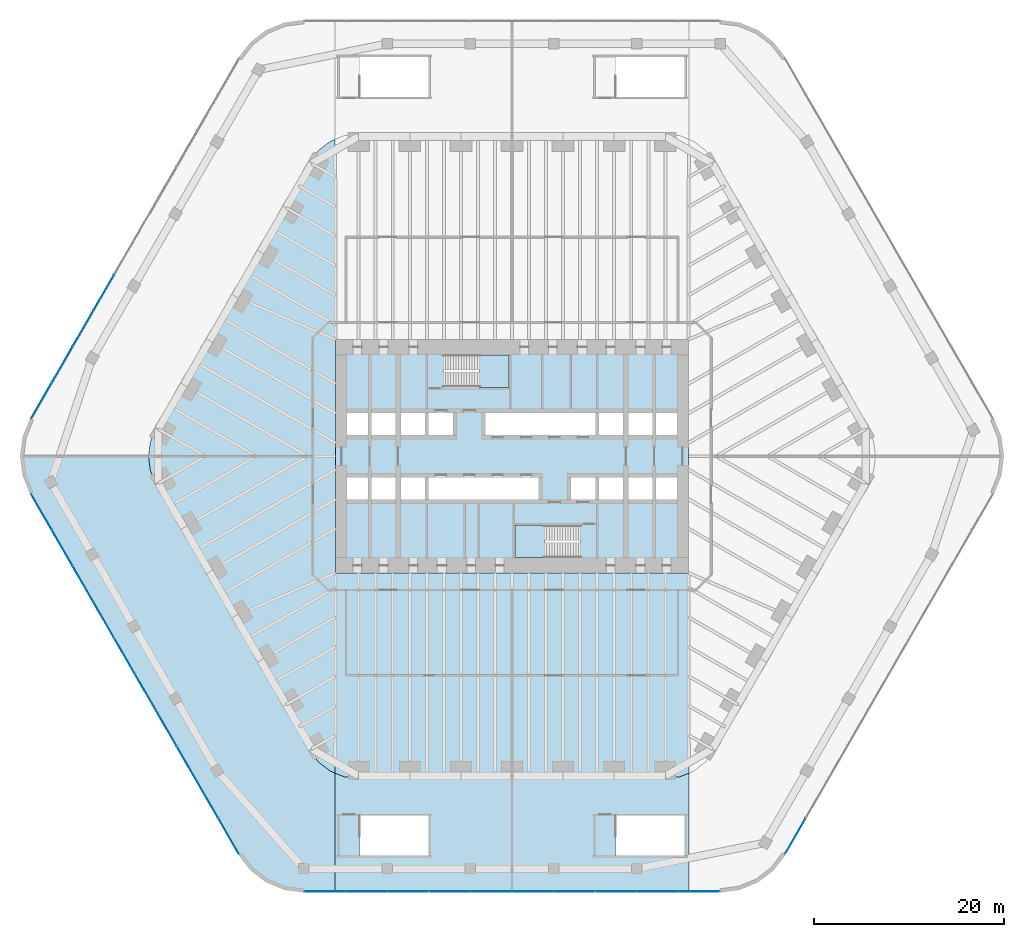
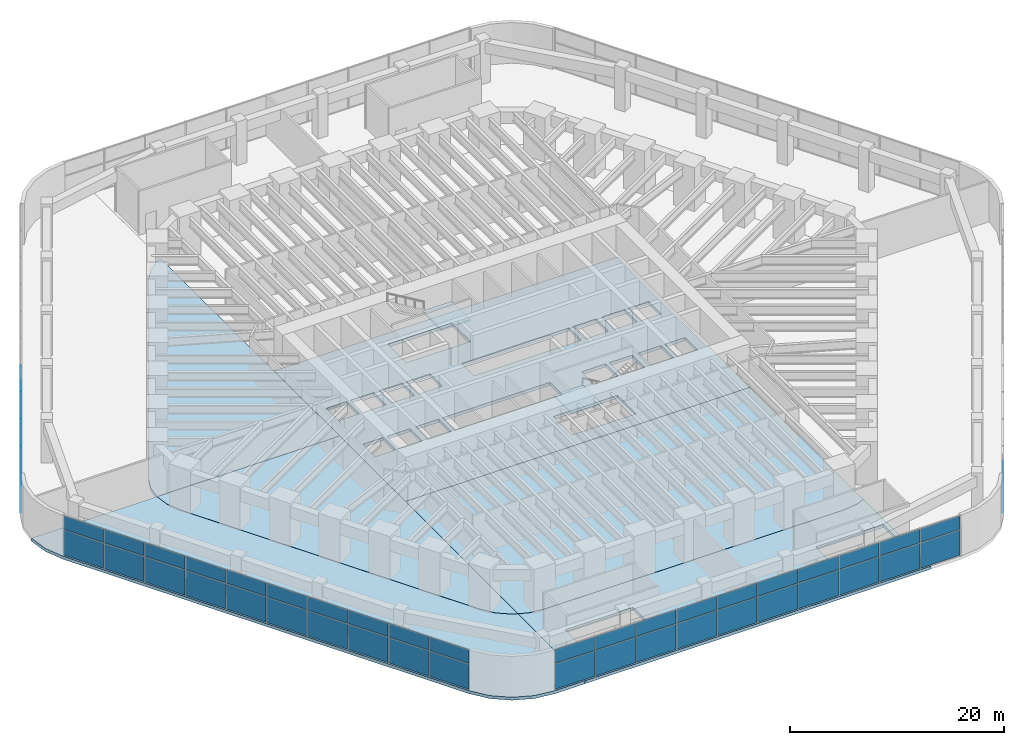
# One storey, part 23 of 31: 49 plates, 8 slabs, 6 elements without a shape of their own.
"""IFC4 building model written with IfcOpenShell, lengths in metres."""

from ifc_helpers import new_model, si_unit, direction, frame, origin, origin_2d, place, context, subcontext, project, spatial, polyline, rectangle, outline, extrude, material, layer, layer_set, type_object, element, aggregate, save


model = new_model("IFC4")

# Units and contexts
model_context = context("Model", 3, precision=1e-05, world=origin(), true_north=direction((0.0, 1.0)))
body_context = subcontext(model_context, "Body", "Model", "MODEL_VIEW")
ifc_project = project(units=[si_unit("LENGTHUNIT", "METRE"), si_unit("AREAUNIT", "SQUARE_METRE"), si_unit("VOLUMEUNIT", "CUBIC_METRE"), si_unit("PLANEANGLEUNIT", "RADIAN"), si_unit("MASSUNIT", "GRAM", prefix="KILO")], contexts=[model_context])

# Site, building, storey
site_placement = place(None, origin())
site = spatial("IfcSite", under=ifc_project, at=site_placement, CompositionType="ELEMENT")
building_placement = place(site_placement, origin())
building = spatial("IfcBuilding", under=site, at=building_placement, Name="Tarfa Lantern Tower", CompositionType="ELEMENT")
storey_placement = place(building_placement, frame((0.0, 0.0, 18.5)))
storey = spatial("IfcBuildingStorey", under=building, at=storey_placement, Name="L03", CompositionType="ELEMENT", Elevation=18.5)

# Curtain wall, plates
ifc_material_1 = material(Name="Aluminium framed curtain wall", Category="aluminium")
curtain_wall_type = type_object("IfcCurtainWallType", Name="CW7 PODIUM GLAZING 4650", PredefinedType="USERDEFINED", material=ifc_material_1)
curtain_wall_1_placement = place(storey_placement, origin())
curtain_wall_1 = element("IfcCurtainWall", 1, at=curtain_wall_1_placement, inside=storey, type_object=curtain_wall_type, Name="CW7 NW L03", ObjectType="CURTAIN WALL", PredefinedType="USERDEFINED")
ifc_material_2 = material(Name="Laminated double glazing", Category="glass")
ifc_layer_1 = layer(ifc_material_2, 0.028076171875)
ifc_layer_set_1 = layer_set([ifc_layer_1], Name="CWP1 DOUBLE GLAZED PANEL")
plate_type = type_object("IfcPlateType", Name="CWP1 DOUBLE GLAZED PANEL", PredefinedType="CURTAIN_PANEL", material=ifc_layer_set_1)
plate_1_placement = place(storey_placement, frame((-43.04150390625, 17.25, 0.06494140625), z_axis=(0.0, 0.0, 1.0), x_axis=(-0.5, -0.866025403784, 0.0)))
plate_1 = element("IfcPlate", 2, at=plate_1_placement, type_object=plate_type, Name="CW7 panel 7.1", PredefinedType="CURTAIN_PANEL", context=body_context, shape_type="SweptSolid", body=[
    extrude(rectangle(XDim=4.32275390625, YDim=0.028076171875, at=origin_2d()), origin(), (0.0, 0.0, 1.0), 2.902587890625),
])
plate_2_placement = place(storey_placement, frame((-43.04150390625, 17.25, 3.03271484375), z_axis=(0.0, 0.0, 1.0), x_axis=(-0.5, -0.866025403784, 0.0)))
plate_2 = element("IfcPlate", 3, at=plate_2_placement, type_object=plate_type, Name="CW7 panel 7.2", PredefinedType="CURTAIN_PANEL", context=body_context, shape_type="SweptSolid", body=[
    extrude(rectangle(XDim=4.32275390625, YDim=0.028076171875, at=origin_2d()), origin(), (0.0, 0.0, 1.0), 1.552490234375),
])
plate_3_placement = place(storey_placement, frame((-45.2353515625, 13.449951171875, 0.06494140625), z_axis=(0.0, 0.0, 1.0), x_axis=(-0.5, -0.866025403784, 0.0)))
plate_3 = element("IfcPlate", 4, at=plate_3_placement, type_object=plate_type, Name="CW7 panel 8.1", PredefinedType="CURTAIN_PANEL", context=body_context, shape_type="SweptSolid", body=[
    extrude(rectangle(XDim=4.32275390625, YDim=0.028076171875, at=origin_2d()), origin(), (0.0, 0.0, 1.0), 2.902587890625),
])
plate_4_placement = place(storey_placement, frame((-45.2353515625, 13.449951171875, 3.03271484375), z_axis=(0.0, 0.0, 1.0), x_axis=(-0.5, -0.866025403784, 0.0)))
plate_4 = element("IfcPlate", 5, at=plate_4_placement, type_object=plate_type, Name="CW7 panel 8.2", PredefinedType="CURTAIN_PANEL", context=body_context, shape_type="SweptSolid", body=[
    extrude(rectangle(XDim=4.32275390625, YDim=0.028076171875, at=origin_2d()), origin(), (0.0, 0.0, 1.0), 1.552490234375),
])
plate_5_placement = place(storey_placement, frame((-47.429443359375, 9.64990234375, 0.06494140625), z_axis=(0.0, 0.0, 1.0), x_axis=(-0.5, -0.866025403784, 0.0)))
plate_5 = element("IfcPlate", 6, at=plate_5_placement, type_object=plate_type, Name="CW7 panel 9.1", PredefinedType="CURTAIN_PANEL", context=body_context, shape_type="SweptSolid", body=[
    extrude(rectangle(XDim=4.32275390625, YDim=0.028076171875, at=origin_2d()), origin(), (0.0, 0.0, 1.0), 2.902587890625),
])
plate_6_placement = place(storey_placement, frame((-47.429443359375, 9.64990234375, 3.03271484375), z_axis=(0.0, 0.0, 1.0), x_axis=(-0.5, -0.866025403784, 0.0)))
plate_6 = element("IfcPlate", 7, at=plate_6_placement, type_object=plate_type, Name="CW7 panel 9.2", PredefinedType="CURTAIN_PANEL", context=body_context, shape_type="SweptSolid", body=[
    extrude(rectangle(XDim=4.32275390625, YDim=0.028076171875, at=origin_2d()), origin(), (0.0, 0.0, 1.0), 1.552490234375),
])
plate_7_placement = place(storey_placement, frame((-49.615234375, 5.864013671875, 0.06494140625), z_axis=(0.0, 0.0, 1.0), x_axis=(-0.5, -0.866025403784, 0.0)))
plate_7 = element("IfcPlate", 8, at=plate_7_placement, type_object=plate_type, Name="CW7 panel 10.1", PredefinedType="CURTAIN_PANEL", context=body_context, shape_type="SweptSolid", body=[
    extrude(rectangle(XDim=4.290283203125, YDim=0.028076171875, at=origin_2d()), origin(), (0.0, 0.0, 1.0), 2.902587890625),
])
plate_8_placement = place(storey_placement, frame((-49.615234375, 5.864013671875, 3.03271484375), z_axis=(0.0, 0.0, 1.0), x_axis=(-0.5, -0.866025403784, 0.0)))
plate_8 = element("IfcPlate", 9, at=plate_8_placement, type_object=plate_type, Name="CW7 panel 10.2", PredefinedType="CURTAIN_PANEL", context=body_context, shape_type="SweptSolid", body=[
    extrude(rectangle(XDim=4.290283203125, YDim=0.028076171875, at=origin_2d()), origin(), (0.0, 0.0, 1.0), 1.552490234375),
])
aggregate(curtain_wall_1, [plate_1, plate_2, plate_3, plate_4, plate_5, plate_6, plate_7, plate_8])

curtain_wall_2_placement = place(storey_placement, origin())
curtain_wall_2 = element("IfcCurtainWall", 10, at=curtain_wall_2_placement, inside=storey, type_object=curtain_wall_type, Name="CW7 SW L03", ObjectType="CURTAIN WALL", PredefinedType="USERDEFINED")
plate_9_placement = place(storey_placement, frame((-49.615234375, -5.864013671875, 0.06494140625), z_axis=(0.0, 0.0, 1.0), x_axis=(0.5, -0.866025403784, 0.0)))
plate_9 = element("IfcPlate", 11, at=plate_9_placement, type_object=plate_type, Name="CW7 panel 1.1", PredefinedType="CURTAIN_PANEL", context=body_context, shape_type="SweptSolid", body=[
    extrude(rectangle(XDim=4.290283203125, YDim=0.028076171875, at=origin_2d()), origin(), (0.0, 0.0, 1.0), 2.902587890625),
])
plate_10_placement = place(storey_placement, frame((-49.615234375, -5.864013671875, 3.03271484375), z_axis=(0.0, 0.0, 1.0), x_axis=(0.5, -0.866025403784, 0.0)))
plate_10 = element("IfcPlate", 12, at=plate_10_placement, type_object=plate_type, Name="CW7 panel 1.2", PredefinedType="CURTAIN_PANEL", context=body_context, shape_type="SweptSolid", body=[
    extrude(rectangle(XDim=4.290283203125, YDim=0.028076171875, at=origin_2d()), origin(), (0.0, 0.0, 1.0), 1.552490234375),
])
plate_11_placement = place(storey_placement, frame((-47.429443359375, -9.64990234375, 0.06494140625), z_axis=(0.0, 0.0, 1.0), x_axis=(0.5, -0.866025403784, 0.0)))
plate_11 = element("IfcPlate", 13, at=plate_11_placement, type_object=plate_type, Name="CW7 panel 2.1", PredefinedType="CURTAIN_PANEL", context=body_context, shape_type="SweptSolid", body=[
    extrude(rectangle(XDim=4.32275390625, YDim=0.028076171875, at=origin_2d()), origin(), (0.0, 0.0, 1.0), 2.902587890625),
])
plate_12_placement = place(storey_placement, frame((-47.429443359375, -9.64990234375, 3.03271484375), z_axis=(0.0, 0.0, 1.0), x_axis=(0.5, -0.866025403784, 0.0)))
plate_12 = element("IfcPlate", 14, at=plate_12_placement, type_object=plate_type, Name="CW7 panel 2.2", PredefinedType="CURTAIN_PANEL", context=body_context, shape_type="SweptSolid", body=[
    extrude(rectangle(XDim=4.32275390625, YDim=0.028076171875, at=origin_2d()), origin(), (0.0, 0.0, 1.0), 1.552490234375),
])
plate_13_placement = place(storey_placement, frame((-45.2353515625, -13.449951171875, 0.06494140625), z_axis=(0.0, 0.0, 1.0), x_axis=(0.5, -0.866025403784, 0.0)))
plate_13 = element("IfcPlate", 15, at=plate_13_placement, type_object=plate_type, Name="CW7 panel 3.1", PredefinedType="CURTAIN_PANEL", context=body_context, shape_type="SweptSolid", body=[
    extrude(rectangle(XDim=4.32275390625, YDim=0.028076171875, at=origin_2d()), origin(), (0.0, 0.0, 1.0), 2.902587890625),
])
plate_14_placement = place(storey_placement, frame((-45.2353515625, -13.449951171875, 3.03271484375), z_axis=(0.0, 0.0, 1.0), x_axis=(0.5, -0.866025403784, 0.0)))
plate_14 = element("IfcPlate", 16, at=plate_14_placement, type_object=plate_type, Name="CW7 panel 3.2", PredefinedType="CURTAIN_PANEL", context=body_context, shape_type="SweptSolid", body=[
    extrude(rectangle(XDim=4.32275390625, YDim=0.028076171875, at=origin_2d()), origin(), (0.0, 0.0, 1.0), 1.552490234375),
])
plate_15_placement = place(storey_placement, frame((-43.04150390625, -17.25, 0.06494140625), z_axis=(0.0, 0.0, 1.0), x_axis=(0.5, -0.866025403784, 0.0)))
plate_15 = element("IfcPlate", 17, at=plate_15_placement, type_object=plate_type, Name="CW7 panel 4.1", PredefinedType="CURTAIN_PANEL", context=body_context, shape_type="SweptSolid", body=[
    extrude(rectangle(XDim=4.32275390625, YDim=0.028076171875, at=origin_2d()), origin(), (0.0, 0.0, 1.0), 2.902587890625),
])
plate_16_placement = place(storey_placement, frame((-43.04150390625, -17.25, 3.03271484375), z_axis=(0.0, 0.0, 1.0), x_axis=(0.5, -0.866025403784, 0.0)))
plate_16 = element("IfcPlate", 18, at=plate_16_placement, type_object=plate_type, Name="CW7 panel 4.2", PredefinedType="CURTAIN_PANEL", context=body_context, shape_type="SweptSolid", body=[
    extrude(rectangle(XDim=4.32275390625, YDim=0.028076171875, at=origin_2d()), origin(), (0.0, 0.0, 1.0), 1.552490234375),
])
plate_17_placement = place(storey_placement, frame((-40.847412109375, -21.050048828125, 0.06494140625), z_axis=(0.0, 0.0, 1.0), x_axis=(0.5, -0.866025403784, 0.0)))
plate_17 = element("IfcPlate", 19, at=plate_17_placement, type_object=plate_type, Name="CW7 panel 5.1", PredefinedType="CURTAIN_PANEL", context=body_context, shape_type="SweptSolid", body=[
    extrude(rectangle(XDim=4.32275390625, YDim=0.028076171875, at=origin_2d()), origin(), (0.0, 0.0, 1.0), 2.902587890625),
])
plate_18_placement = place(storey_placement, frame((-40.847412109375, -21.050048828125, 3.03271484375), z_axis=(0.0, 0.0, 1.0), x_axis=(0.5, -0.866025403784, 0.0)))
plate_18 = element("IfcPlate", 20, at=plate_18_placement, type_object=plate_type, Name="CW7 panel 5.2", PredefinedType="CURTAIN_PANEL", context=body_context, shape_type="SweptSolid", body=[
    extrude(rectangle(XDim=4.32275390625, YDim=0.028076171875, at=origin_2d()), origin(), (0.0, 0.0, 1.0), 1.552490234375),
])
plate_19_placement = place(storey_placement, frame((-38.653564453125, -24.85009765625, 0.06494140625), z_axis=(0.0, 0.0, 1.0), x_axis=(0.5, -0.866025403784, 0.0)))
plate_19 = element("IfcPlate", 21, at=plate_19_placement, type_object=plate_type, Name="CW7 panel 6.1", PredefinedType="CURTAIN_PANEL", context=body_context, shape_type="SweptSolid", body=[
    extrude(rectangle(XDim=4.32275390625, YDim=0.028076171875, at=origin_2d()), origin(), (0.0, 0.0, 1.0), 2.902587890625),
])
plate_20_placement = place(storey_placement, frame((-38.653564453125, -24.85009765625, 3.03271484375), z_axis=(0.0, 0.0, 1.0), x_axis=(0.5, -0.866025403784, 0.0)))
plate_20 = element("IfcPlate", 22, at=plate_20_placement, type_object=plate_type, Name="CW7 panel 6.2", PredefinedType="CURTAIN_PANEL", context=body_context, shape_type="SweptSolid", body=[
    extrude(rectangle(XDim=4.32275390625, YDim=0.028076171875, at=origin_2d()), origin(), (0.0, 0.0, 1.0), 1.552490234375),
])
plate_21_placement = place(storey_placement, frame((-36.459716796875, -28.64990234375, 0.06494140625), z_axis=(0.0, 0.0, 1.0), x_axis=(0.5, -0.866025403784, 0.0)))
plate_21 = element("IfcPlate", 23, at=plate_21_placement, type_object=plate_type, Name="CW7 panel 7.1", PredefinedType="CURTAIN_PANEL", context=body_context, shape_type="SweptSolid", body=[
    extrude(rectangle(XDim=4.32275390625, YDim=0.028076171875, at=origin_2d()), origin(), (0.0, 0.0, 1.0), 2.902587890625),
])
plate_22_placement = place(storey_placement, frame((-36.459716796875, -28.64990234375, 3.03271484375), z_axis=(0.0, 0.0, 1.0), x_axis=(0.5, -0.866025403784, 0.0)))
plate_22 = element("IfcPlate", 24, at=plate_22_placement, type_object=plate_type, Name="CW7 panel 7.2", PredefinedType="CURTAIN_PANEL", context=body_context, shape_type="SweptSolid", body=[
    extrude(rectangle(XDim=4.32275390625, YDim=0.028076171875, at=origin_2d()), origin(), (0.0, 0.0, 1.0), 1.552490234375),
])
plate_23_placement = place(storey_placement, frame((-34.265625, -32.449951171875, 0.06494140625), z_axis=(0.0, 0.0, 1.0), x_axis=(0.5, -0.866025403784, 0.0)))
plate_23 = element("IfcPlate", 25, at=plate_23_placement, type_object=plate_type, Name="CW7 panel 8.1", PredefinedType="CURTAIN_PANEL", context=body_context, shape_type="SweptSolid", body=[
    extrude(rectangle(XDim=4.32275390625, YDim=0.028076171875, at=origin_2d()), origin(), (0.0, 0.0, 1.0), 2.902587890625),
])
plate_24_placement = place(storey_placement, frame((-34.265625, -32.449951171875, 3.03271484375), z_axis=(0.0, 0.0, 1.0), x_axis=(0.5, -0.866025403784, 0.0)))
plate_24 = element("IfcPlate", 26, at=plate_24_placement, type_object=plate_type, Name="CW7 panel 8.2", PredefinedType="CURTAIN_PANEL", context=body_context, shape_type="SweptSolid", body=[
    extrude(rectangle(XDim=4.32275390625, YDim=0.028076171875, at=origin_2d()), origin(), (0.0, 0.0, 1.0), 1.552490234375),
])
plate_25_placement = place(storey_placement, frame((-32.07177734375, -36.25, 0.06494140625), z_axis=(0.0, 0.0, 1.0), x_axis=(0.5, -0.866025403784, 0.0)))
plate_25 = element("IfcPlate", 27, at=plate_25_placement, type_object=plate_type, Name="CW7 panel 9.1", PredefinedType="CURTAIN_PANEL", context=body_context, shape_type="SweptSolid", body=[
    extrude(rectangle(XDim=4.32275390625, YDim=0.028076171875, at=origin_2d()), origin(), (0.0, 0.0, 1.0), 2.902587890625),
])
plate_26_placement = place(storey_placement, frame((-32.07177734375, -36.25, 3.03271484375), z_axis=(0.0, 0.0, 1.0), x_axis=(0.5, -0.866025403784, 0.0)))
plate_26 = element("IfcPlate", 28, at=plate_26_placement, type_object=plate_type, Name="CW7 panel 9.2", PredefinedType="CURTAIN_PANEL", context=body_context, shape_type="SweptSolid", body=[
    extrude(rectangle(XDim=4.32275390625, YDim=0.028076171875, at=origin_2d()), origin(), (0.0, 0.0, 1.0), 1.552490234375),
])
plate_27_placement = place(storey_placement, frame((-29.885986328125, -40.035888671875, 0.06494140625), z_axis=(0.0, 0.0, 1.0), x_axis=(0.5, -0.866025403784, 0.0)))
plate_27 = element("IfcPlate", 29, at=plate_27_placement, type_object=plate_type, Name="CW7 panel 10.1", PredefinedType="CURTAIN_PANEL", context=body_context, shape_type="SweptSolid", body=[
    extrude(rectangle(XDim=4.290283203125, YDim=0.028076171875, at=origin_2d()), origin(), (0.0, 0.0, 1.0), 2.902587890625),
])
plate_28_placement = place(storey_placement, frame((-29.885986328125, -40.035888671875, 3.03271484375), z_axis=(0.0, 0.0, 1.0), x_axis=(0.5, -0.866025403784, 0.0)))
plate_28 = element("IfcPlate", 30, at=plate_28_placement, type_object=plate_type, Name="CW7 panel 10.2", PredefinedType="CURTAIN_PANEL", context=body_context, shape_type="SweptSolid", body=[
    extrude(rectangle(XDim=4.290283203125, YDim=0.028076171875, at=origin_2d()), origin(), (0.0, 0.0, 1.0), 1.552490234375),
])
aggregate(curtain_wall_2, [plate_9, plate_10, plate_11, plate_12, plate_13, plate_14, plate_15, plate_16, plate_17, plate_18, plate_19, plate_20, plate_21, plate_22, plate_23, plate_24, plate_25, plate_26, plate_27, plate_28])

curtain_wall_3_placement = place(storey_placement, origin())
curtain_wall_3 = element("IfcCurtainWall", 31, at=curtain_wall_3_placement, inside=storey, type_object=curtain_wall_type, Name="CW7 S L03", ObjectType="CURTAIN WALL", PredefinedType="USERDEFINED")
plate_29_placement = place(storey_placement, frame((-19.729248046875, -45.89990234375, 0.06494140625), z_axis=(0.0, 0.0, 1.0), x_axis=(1.0, 0.0, 0.0)))
plate_29 = element("IfcPlate", 32, at=plate_29_placement, type_object=plate_type, Name="CW7 panel 1.1", PredefinedType="CURTAIN_PANEL", context=body_context, shape_type="SweptSolid", body=[
    extrude(rectangle(XDim=4.290283203125, YDim=0.028076171875, at=origin_2d()), origin(), (0.0, 0.0, 1.0), 2.902587890625),
])
plate_30_placement = place(storey_placement, frame((-19.729248046875, -45.89990234375, 3.03271484375), z_axis=(0.0, 0.0, 1.0), x_axis=(1.0, 0.0, 0.0)))
plate_30 = element("IfcPlate", 33, at=plate_30_placement, type_object=plate_type, Name="CW7 panel 1.2", PredefinedType="CURTAIN_PANEL", context=body_context, shape_type="SweptSolid", body=[
    extrude(rectangle(XDim=4.290283203125, YDim=0.028076171875, at=origin_2d()), origin(), (0.0, 0.0, 1.0), 1.552490234375),
])
plate_31_placement = place(storey_placement, frame((-15.357421875, -45.89990234375, 0.06494140625), z_axis=(0.0, 0.0, 1.0), x_axis=(1.0, 0.0, 0.0)))
plate_31 = element("IfcPlate", 34, at=plate_31_placement, type_object=plate_type, Name="CW7 panel 2.1", PredefinedType="CURTAIN_PANEL", context=body_context, shape_type="SweptSolid", body=[
    extrude(rectangle(XDim=4.32275390625, YDim=0.028076171875, at=origin_2d()), origin(), (0.0, 0.0, 1.0), 2.902587890625),
])
plate_32_placement = place(storey_placement, frame((-15.357421875, -45.89990234375, 3.03271484375), z_axis=(0.0, 0.0, 1.0), x_axis=(1.0, 0.0, 0.0)))
plate_32 = element("IfcPlate", 35, at=plate_32_placement, type_object=plate_type, Name="CW7 panel 2.2", PredefinedType="CURTAIN_PANEL", context=body_context, shape_type="SweptSolid", body=[
    extrude(rectangle(XDim=4.32275390625, YDim=0.028076171875, at=origin_2d()), origin(), (0.0, 0.0, 1.0), 1.552490234375),
])
plate_33_placement = place(storey_placement, frame((-10.9697265625, -45.89990234375, 0.06494140625), z_axis=(0.0, 0.0, 1.0), x_axis=(1.0, 0.0, 0.0)))
plate_33 = element("IfcPlate", 36, at=plate_33_placement, type_object=plate_type, Name="CW7 panel 3.1", PredefinedType="CURTAIN_PANEL", context=body_context, shape_type="SweptSolid", body=[
    extrude(rectangle(XDim=4.32275390625, YDim=0.028076171875, at=origin_2d()), origin(), (0.0, 0.0, 1.0), 2.902587890625),
])
plate_34_placement = place(storey_placement, frame((-10.9697265625, -45.89990234375, 3.03271484375), z_axis=(0.0, 0.0, 1.0), x_axis=(1.0, 0.0, 0.0)))
plate_34 = element("IfcPlate", 37, at=plate_34_placement, type_object=plate_type, Name="CW7 panel 3.2", PredefinedType="CURTAIN_PANEL", context=body_context, shape_type="SweptSolid", body=[
    extrude(rectangle(XDim=4.32275390625, YDim=0.028076171875, at=origin_2d()), origin(), (0.0, 0.0, 1.0), 1.552490234375),
])
plate_35_placement = place(storey_placement, frame((-6.581787109375, -45.89990234375, 0.06494140625), z_axis=(0.0, 0.0, 1.0), x_axis=(1.0, 0.0, 0.0)))
plate_35 = element("IfcPlate", 38, at=plate_35_placement, type_object=plate_type, Name="CW7 panel 4.1", PredefinedType="CURTAIN_PANEL", context=body_context, shape_type="SweptSolid", body=[
    extrude(rectangle(XDim=4.32275390625, YDim=0.028076171875, at=origin_2d()), origin(), (0.0, 0.0, 1.0), 2.902587890625),
])
plate_36_placement = place(storey_placement, frame((-6.581787109375, -45.89990234375, 3.03271484375), z_axis=(0.0, 0.0, 1.0), x_axis=(1.0, 0.0, 0.0)))
plate_36 = element("IfcPlate", 39, at=plate_36_placement, type_object=plate_type, Name="CW7 panel 4.2", PredefinedType="CURTAIN_PANEL", context=body_context, shape_type="SweptSolid", body=[
    extrude(rectangle(XDim=4.32275390625, YDim=0.028076171875, at=origin_2d()), origin(), (0.0, 0.0, 1.0), 1.552490234375),
])
plate_37_placement = place(storey_placement, frame((-2.19384765625, -45.89990234375, 0.06494140625), z_axis=(0.0, 0.0, 1.0), x_axis=(1.0, 0.0, 0.0)))
plate_37 = element("IfcPlate", 40, at=plate_37_placement, type_object=plate_type, Name="CW7 panel 5.1", PredefinedType="CURTAIN_PANEL", context=body_context, shape_type="SweptSolid", body=[
    extrude(rectangle(XDim=4.32275390625, YDim=0.028076171875, at=origin_2d()), origin(), (0.0, 0.0, 1.0), 2.902587890625),
])
plate_38_placement = place(storey_placement, frame((-2.19384765625, -45.89990234375, 3.03271484375), z_axis=(0.0, 0.0, 1.0), x_axis=(1.0, 0.0, 0.0)))
plate_38 = element("IfcPlate", 41, at=plate_38_placement, type_object=plate_type, Name="CW7 panel 5.2", PredefinedType="CURTAIN_PANEL", context=body_context, shape_type="SweptSolid", body=[
    extrude(rectangle(XDim=4.32275390625, YDim=0.028076171875, at=origin_2d()), origin(), (0.0, 0.0, 1.0), 1.552490234375),
])
plate_39_placement = place(storey_placement, frame((2.19384765625, -45.89990234375, 0.06494140625), z_axis=(0.0, 0.0, 1.0), x_axis=(1.0, 0.0, 0.0)))
plate_39 = element("IfcPlate", 42, at=plate_39_placement, type_object=plate_type, Name="CW7 panel 6.1", PredefinedType="CURTAIN_PANEL", context=body_context, shape_type="SweptSolid", body=[
    extrude(rectangle(XDim=4.32275390625, YDim=0.028076171875, at=origin_2d()), origin(), (0.0, 0.0, 1.0), 2.902587890625),
])
plate_40_placement = place(storey_placement, frame((2.19384765625, -45.89990234375, 3.03271484375), z_axis=(0.0, 0.0, 1.0), x_axis=(1.0, 0.0, 0.0)))
plate_40 = element("IfcPlate", 43, at=plate_40_placement, type_object=plate_type, Name="CW7 panel 6.2", PredefinedType="CURTAIN_PANEL", context=body_context, shape_type="SweptSolid", body=[
    extrude(rectangle(XDim=4.32275390625, YDim=0.028076171875, at=origin_2d()), origin(), (0.0, 0.0, 1.0), 1.552490234375),
])
plate_41_placement = place(storey_placement, frame((6.581787109375, -45.89990234375, 0.06494140625), z_axis=(0.0, 0.0, 1.0), x_axis=(1.0, 0.0, 0.0)))
plate_41 = element("IfcPlate", 44, at=plate_41_placement, type_object=plate_type, Name="CW7 panel 7.1", PredefinedType="CURTAIN_PANEL", context=body_context, shape_type="SweptSolid", body=[
    extrude(rectangle(XDim=4.32275390625, YDim=0.028076171875, at=origin_2d()), origin(), (0.0, 0.0, 1.0), 2.902587890625),
])
plate_42_placement = place(storey_placement, frame((6.581787109375, -45.89990234375, 3.03271484375), z_axis=(0.0, 0.0, 1.0), x_axis=(1.0, 0.0, 0.0)))
plate_42 = element("IfcPlate", 45, at=plate_42_placement, type_object=plate_type, Name="CW7 panel 7.2", PredefinedType="CURTAIN_PANEL", context=body_context, shape_type="SweptSolid", body=[
    extrude(rectangle(XDim=4.32275390625, YDim=0.028076171875, at=origin_2d()), origin(), (0.0, 0.0, 1.0), 1.552490234375),
])
plate_43_placement = place(storey_placement, frame((10.9697265625, -45.89990234375, 0.06494140625), z_axis=(0.0, 0.0, 1.0), x_axis=(1.0, 0.0, 0.0)))
plate_43 = element("IfcPlate", 46, at=plate_43_placement, type_object=plate_type, Name="CW7 panel 8.1", PredefinedType="CURTAIN_PANEL", context=body_context, shape_type="SweptSolid", body=[
    extrude(rectangle(XDim=4.32275390625, YDim=0.028076171875, at=origin_2d()), origin(), (0.0, 0.0, 1.0), 2.902587890625),
])
plate_44_placement = place(storey_placement, frame((10.9697265625, -45.89990234375, 3.03271484375), z_axis=(0.0, 0.0, 1.0), x_axis=(1.0, 0.0, 0.0)))
plate_44 = element("IfcPlate", 47, at=plate_44_placement, type_object=plate_type, Name="CW7 panel 8.2", PredefinedType="CURTAIN_PANEL", context=body_context, shape_type="SweptSolid", body=[
    extrude(rectangle(XDim=4.32275390625, YDim=0.028076171875, at=origin_2d()), origin(), (0.0, 0.0, 1.0), 1.552490234375),
])
plate_45_placement = place(storey_placement, frame((15.357421875, -45.89990234375, 0.06494140625), z_axis=(0.0, 0.0, 1.0), x_axis=(1.0, 0.0, 0.0)))
plate_45 = element("IfcPlate", 48, at=plate_45_placement, type_object=plate_type, Name="CW7 panel 9.1", PredefinedType="CURTAIN_PANEL", context=body_context, shape_type="SweptSolid", body=[
    extrude(rectangle(XDim=4.32275390625, YDim=0.028076171875, at=origin_2d()), origin(), (0.0, 0.0, 1.0), 2.902587890625),
])
plate_46_placement = place(storey_placement, frame((15.357421875, -45.89990234375, 3.03271484375), z_axis=(0.0, 0.0, 1.0), x_axis=(1.0, 0.0, 0.0)))
plate_46 = element("IfcPlate", 49, at=plate_46_placement, type_object=plate_type, Name="CW7 panel 9.2", PredefinedType="CURTAIN_PANEL", context=body_context, shape_type="SweptSolid", body=[
    extrude(rectangle(XDim=4.32275390625, YDim=0.028076171875, at=origin_2d()), origin(), (0.0, 0.0, 1.0), 1.552490234375),
])
plate_47_placement = place(storey_placement, frame((19.729248046875, -45.89990234375, 0.06494140625), z_axis=(0.0, 0.0, 1.0), x_axis=(1.0, 0.0, 0.0)))
plate_47 = element("IfcPlate", 50, at=plate_47_placement, type_object=plate_type, Name="CW7 panel 10.1", PredefinedType="CURTAIN_PANEL", context=body_context, shape_type="SweptSolid", body=[
    extrude(rectangle(XDim=4.290283203125, YDim=0.028076171875, at=origin_2d()), origin(), (0.0, 0.0, 1.0), 2.902587890625),
])
plate_48_placement = place(storey_placement, frame((19.729248046875, -45.89990234375, 3.03271484375), z_axis=(0.0, 0.0, 1.0), x_axis=(1.0, 0.0, 0.0)))
plate_48 = element("IfcPlate", 51, at=plate_48_placement, type_object=plate_type, Name="CW7 panel 10.2", PredefinedType="CURTAIN_PANEL", context=body_context, shape_type="SweptSolid", body=[
    extrude(rectangle(XDim=4.290283203125, YDim=0.028076171875, at=origin_2d()), origin(), (0.0, 0.0, 1.0), 1.552490234375),
])
aggregate(curtain_wall_3, [plate_29, plate_30, plate_31, plate_32, plate_33, plate_34, plate_35, plate_36, plate_37, plate_38, plate_39, plate_40, plate_41, plate_42, plate_43, plate_44, plate_45, plate_46, plate_47, plate_48])

# Curtain wall, plate
curtain_wall_4_placement = place(storey_placement, origin())
curtain_wall_4 = element("IfcCurtainWall", 52, at=curtain_wall_4_placement, inside=storey, type_object=curtain_wall_type, Name="CW7 SE L03", ObjectType="CURTAIN WALL", PredefinedType="USERDEFINED")
plate_49_placement = place(storey_placement, frame((29.885986328125, -40.035888671875, 0.06494140625), z_axis=(0.0, 0.0, 1.0), x_axis=(0.5, 0.866025403784, 0.0)))
plate_49 = element("IfcPlate", 53, at=plate_49_placement, type_object=plate_type, Name="CW7 panel 1.1", PredefinedType="CURTAIN_PANEL", context=body_context, shape_type="SweptSolid", body=[
    extrude(rectangle(XDim=4.290283203125, YDim=0.028076171875, at=origin_2d()), origin(), (0.0, 0.0, 1.0), 2.902587890625),
])
aggregate(curtain_wall_4, [plate_49])

# Slabs
ifc_material_3 = material(Name="Concrete C40/50", Category="concrete")
ifc_layer_2 = layer(ifc_material_3, 0.35009765625)
ifc_layer_set_2 = layer_set([ifc_layer_2], Name="FS3 FLOOR SLAB 350")
slab_type_1 = type_object("IfcSlabType", Name="FS3 FLOOR SLAB 350", PredefinedType="FLOOR", material=ifc_layer_set_2)
slab_1_placement = place(storey_placement, frame((0.0, 0.0, -0.35009765625)))
element("IfcSlab", 54, at=slab_1_placement, inside=storey, type_object=slab_type_1, Name="Floor slab L03", PredefinedType="FLOOR", context=body_context, shape_type="SweptSolid", body=[
    extrude(outline(polyline([(-18.60009765625, -12.300048828125), (18.60009765625, -12.300048828125), (18.60009765625, 12.300048828125), (-18.60009765625, 12.300048828125), (-18.60009765625, -12.300048828125)]), holes=[polyline([(-17.39990234375, 2.25), (-15.199951171875, 2.25), (-15.199951171875, 4.550048828125), (-17.39990234375, 4.550048828125), (-17.39990234375, 2.25)]), polyline([(-14.800048828125, 2.25), (-12.300048828125, 2.25), (-12.300048828125, 4.550048828125), (-14.800048828125, 4.550048828125), (-14.800048828125, 2.25)]), polyline([(-11.699951171875, 2.25), (-9.199951171875, 2.25), (-9.199951171875, 4.550048828125), (-11.699951171875, 4.550048828125), (-11.699951171875, 2.25)]), polyline([(-8.800048828125, 2.25), (-6.199951171875, 2.25), (-6.199951171875, 4.550048828125), (-8.800048828125, 4.550048828125), (-8.800048828125, 2.25)]), polyline([(-2.800048828125, 2.25), (8.800048828125, 2.25), (8.800048828125, 4.550048828125), (-2.800048828125, 4.550048828125), (-2.800048828125, 2.25)]), polyline([(9.199951171875, 2.25), (11.699951171875, 2.25), (11.699951171875, 4.550048828125), (9.199951171875, 4.550048828125), (9.199951171875, 2.25)]), polyline([(12.300048828125, 2.25), (14.800048828125, 2.25), (14.800048828125, 4.550048828125), (12.300048828125, 4.550048828125), (12.300048828125, 2.25)]), polyline([(15.199951171875, 2.25), (17.39990234375, 2.25), (17.39990234375, 4.550048828125), (15.199951171875, 4.550048828125), (15.199951171875, 2.25)]), polyline([(17.39990234375, -2.25), (15.199951171875, -2.25), (15.199951171875, -4.550048828125), (17.39990234375, -4.550048828125), (17.39990234375, -2.25)]), polyline([(14.800048828125, -2.25), (12.300048828125, -2.25), (12.300048828125, -4.550048828125), (14.800048828125, -4.550048828125), (14.800048828125, -2.25)]), polyline([(11.699951171875, -2.25), (9.199951171875, -2.25), (9.199951171875, -4.550048828125), (11.699951171875, -4.550048828125), (11.699951171875, -2.25)]), polyline([(8.800048828125, -2.25), (6.199951171875, -2.25), (6.199951171875, -4.550048828125), (8.800048828125, -4.550048828125), (8.800048828125, -2.25)]), polyline([(2.800048828125, -2.25), (-8.800048828125, -2.25), (-8.800048828125, -4.550048828125), (2.800048828125, -4.550048828125), (2.800048828125, -2.25)]), polyline([(-9.199951171875, -2.25), (-11.699951171875, -2.25), (-11.699951171875, -4.550048828125), (-9.199951171875, -4.550048828125), (-9.199951171875, -2.25)]), polyline([(-12.300048828125, -2.25), (-14.800048828125, -2.25), (-14.800048828125, -4.550048828125), (-12.300048828125, -4.550048828125), (-12.300048828125, -2.25)]), polyline([(-15.199951171875, -2.25), (-17.39990234375, -2.25), (-17.39990234375, -4.550048828125), (-15.199951171875, -4.550048828125), (-15.199951171875, -2.25)]), polyline([(-7.199951171875, 7.25), (-0.300048828125, 7.25), (-0.300048828125, 10.699951171875), (-7.199951171875, 10.699951171875), (-7.199951171875, 7.25)]), polyline([(7.199951171875, -7.25), (0.300048828125, -7.25), (0.300048828125, -10.699951171875), (7.199951171875, -10.699951171875), (7.199951171875, -7.25)])]), origin(), (0.0, 0.0, 1.0), 0.35009765625),
])
slab_2_placement = place(storey_placement, frame((0.0, 0.0, -0.35009765625)))
element("IfcSlab", 55, at=slab_2_placement, inside=storey, type_object=slab_type_1, Name="Floor slab L03 NW bay", PredefinedType="FLOOR", context=body_context, shape_type="SweptSolid", body=[
    extrude(outline(polyline([(-18.60205078125, 0.001953125), (-18.60205078125, 12.300048828125), (-18.64697265625, 33.408935546875), (-19.164794921875, 33.1943359375), (-20.406982421875, 32.2412109375), (-21.3603515625, 30.998779296875), (-37.52587890625, 2.9990234375), (-38.125244140625, 1.552490234375), (-38.329345703125, 0.001953125), (-18.60205078125, 0.001953125)])), origin(), (0.0, 0.0, 1.0), 0.35009765625),
])
slab_3_placement = place(storey_placement, frame((0.0, 0.0, -0.35009765625)))
element("IfcSlab", 56, at=slab_3_placement, inside=storey, type_object=slab_type_1, Name="Floor slab L03 SW bay", PredefinedType="FLOOR", context=body_context, shape_type="SweptSolid", body=[
    extrude(outline(polyline([(-18.60205078125, -12.300048828125), (-18.60205078125, -0.001953125), (-38.329345703125, -0.001953125), (-38.125244140625, -1.552490234375), (-37.52587890625, -2.9990234375), (-21.3603515625, -30.998779296875), (-20.406982421875, -32.2412109375), (-19.164794921875, -33.1943359375), (-18.64697265625, -33.408935546875), (-18.60205078125, -12.300048828125)])), origin(), (0.0, 0.0, 1.0), 0.35009765625),
])
slab_4_placement = place(storey_placement, frame((0.0, 0.0, -0.35009765625)))
element("IfcSlab", 57, at=slab_4_placement, inside=storey, type_object=slab_type_1, Name="Floor slab L03 S bay", PredefinedType="FLOOR", context=body_context, shape_type="SweptSolid", body=[
    extrude(outline(polyline([(18.597900390625, -12.302001953125), (-18.597900390625, -12.302001953125), (-18.64306640625, -33.41064453125), (-17.71826171875, -33.793701171875), (-16.165771484375, -33.998046875), (16.165771484375, -33.998046875), (17.71826171875, -33.793701171875), (18.64306640625, -33.41064453125), (18.597900390625, -12.302001953125)])), origin(), (0.0, 0.0, 1.0), 0.35009765625),
])
slab_5_placement = place(storey_placement, frame((0.0, 0.0, -0.35009765625)))
element("IfcSlab", 58, at=slab_5_placement, inside=storey, type_object=slab_type_1, Name="Floor slab L03 podium-SW bay", PredefinedType="FLOOR", context=body_context, shape_type="SweptSolid", body=[
    extrude(outline(polyline([(-18.64697265625, -33.4130859375), (-19.166748046875, -33.197998046875), (-20.409912109375, -32.244140625), (-21.363525390625, -31.001220703125), (-37.529541015625, -3.0009765625), (-38.129150390625, -1.553466796875), (-38.333251953125, -0.001953125), (-51.876220703125, -0.001953125), (-51.60400390625, -2.070068359375), (-50.804931640625, -3.9990234375), (-28.865966796875, -41.998779296875), (-27.5947265625, -43.655517578125), (-25.938232421875, -44.926513671875), (-24.00927734375, -45.725341796875), (-21.939208984375, -45.998046875), (-18.673828125, -45.998046875), (-18.64697265625, -33.4130859375)])), origin(), (0.0, 0.0, 1.0), 0.35009765625),
])
slab_6_placement = place(storey_placement, frame((0.0, 0.0, -0.35009765625)))
element("IfcSlab", 59, at=slab_6_placement, inside=storey, type_object=slab_type_1, Name="Floor slab L03 podium-S bay", PredefinedType="FLOOR", context=body_context, shape_type="SweptSolid", body=[
    extrude(outline(polyline([(18.64306640625, -33.414794921875), (17.71923828125, -33.797607421875), (16.166015625, -34.001953125), (-16.166015625, -34.001953125), (-17.71923828125, -33.797607421875), (-18.64306640625, -33.414794921875), (-18.669921875, -45.998046875), (18.669921875, -45.998046875), (18.64306640625, -33.414794921875)]), holes=[polyline([(-16.10009765625, -42.10009765625), (-8.800048828125, -42.10009765625), (-8.800048828125, -37.89990234375), (-16.10009765625, -37.89990234375), (-16.10009765625, -42.10009765625)]), polyline([(10.89990234375, -42.10009765625), (18.199951171875, -42.10009765625), (18.199951171875, -37.89990234375), (10.89990234375, -37.89990234375), (10.89990234375, -42.10009765625)])]), origin(), (0.0, 0.0, 1.0), 0.35009765625),
])

# Stair, slab
stair_type = type_object("IfcStairType", Name="ST-T9 HALF-TURN STAIR 5000 RISE", PredefinedType="HALF_TURN_STAIR", material=ifc_material_3)
stair_1_placement = place(storey_placement, origin())
stair_1 = element("IfcStair", 60, at=stair_1_placement, inside=storey, type_object=stair_type, Name="Stair ST1", PredefinedType="HALF_TURN_STAIR")
ifc_layer_3 = layer(ifc_material_3, 0.199951171875)
ifc_layer_set_3 = layer_set([ifc_layer_3], Name="SL1 STAIR LANDING 200")
slab_type_2 = type_object("IfcSlabType", Name="SL1 STAIR LANDING 200", PredefinedType="LANDING", material=ifc_layer_set_3)
slab_7_placement = place(storey_placement, frame((0.0, 0.0, 2.300048828125)))
slab_7 = element("IfcSlab", 61, at=slab_7_placement, type_object=slab_type_2, Name="ST1 landing 1", PredefinedType="LANDING", context=body_context, shape_type="SweptSolid", body=[
    extrude(outline(polyline([(-3.47998046875, 7.25), (-0.300048828125, 7.25), (-0.300048828125, 10.699951171875), (-3.47998046875, 10.699951171875), (-3.47998046875, 7.25)])), origin(), (0.0, 0.0, 1.0), 0.199951171875),
])
aggregate(stair_1, [slab_7])

stair_2_placement = place(storey_placement, origin())
stair_2 = element("IfcStair", 62, at=stair_2_placement, inside=storey, type_object=stair_type, Name="Stair ST2", PredefinedType="HALF_TURN_STAIR")
slab_8_placement = place(storey_placement, frame((0.0, 0.0, 2.300048828125)))
slab_8 = element("IfcSlab", 63, at=slab_8_placement, type_object=slab_type_2, Name="ST2 landing 1", PredefinedType="LANDING", context=body_context, shape_type="SweptSolid", body=[
    extrude(outline(polyline([(3.47998046875, -7.25), (0.300048828125, -7.25), (0.300048828125, -10.699951171875), (3.47998046875, -10.699951171875), (3.47998046875, -7.25)])), origin(), (0.0, 0.0, 1.0), 0.199951171875),
])
aggregate(stair_2, [slab_8])

save(model, "model.ifc")
